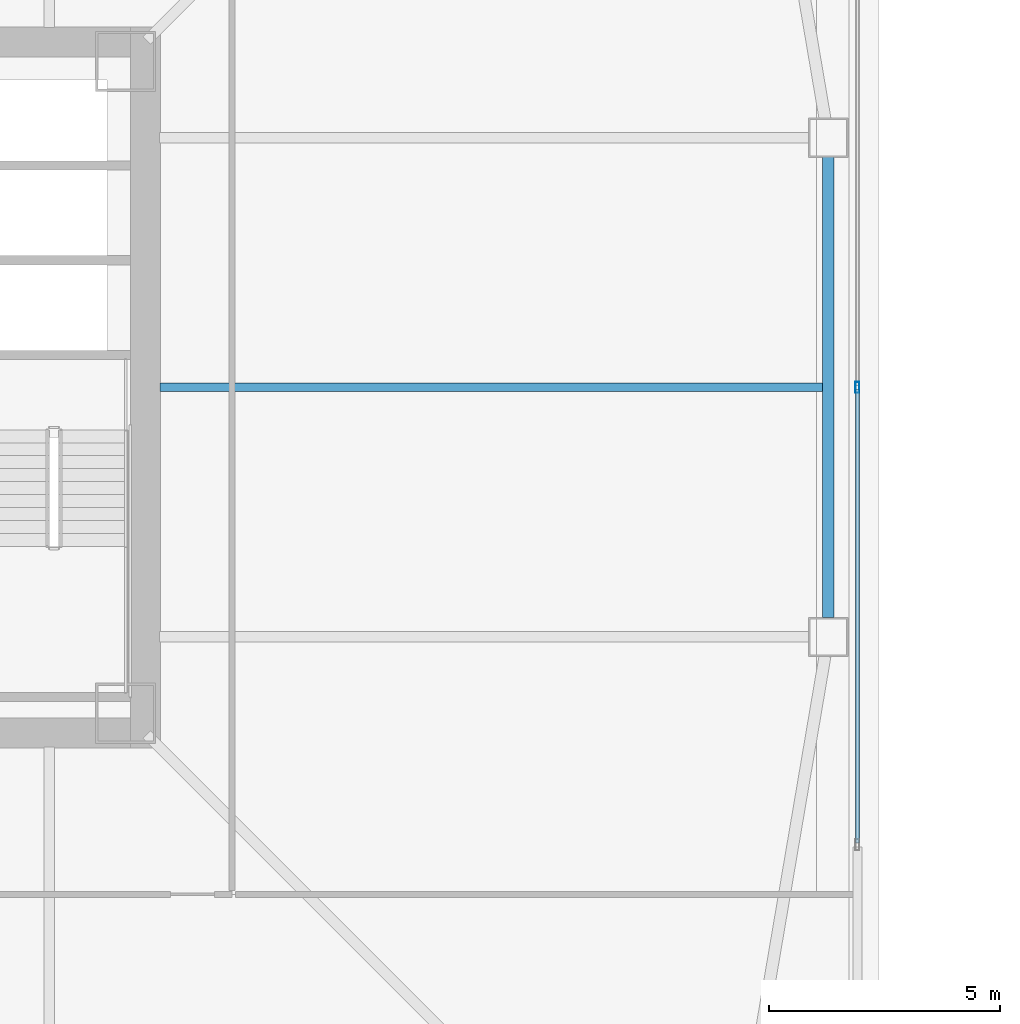
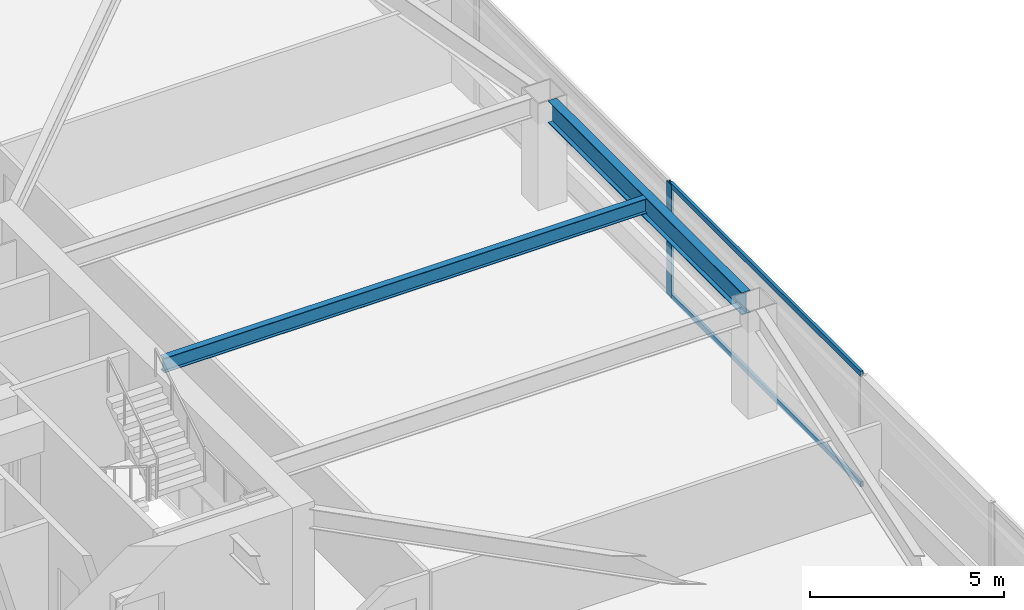
# One storey, part 11 of 48: 3 members, 2 beams, 1 element without a shape of its own.
"""IFC4 building model written with IfcOpenShell, lengths in metres."""

from ifc_helpers import new_model, si_unit, direction, frame, origin, origin_2d, place, context, subcontext, project, spatial, hollow_rectangle, i_section, extrude, material, material_profile, profile_set, type_object, element, aggregate, save


model = new_model("IFC4")

# Units and contexts
model_context = context("Model", 3, precision=1e-05, world=origin(), true_north=direction((0.0, 1.0)))
body_context = subcontext(model_context, "Body", "Model", "MODEL_VIEW")
ifc_project = project(units=[si_unit("LENGTHUNIT", "METRE"), si_unit("AREAUNIT", "SQUARE_METRE"), si_unit("VOLUMEUNIT", "CUBIC_METRE"), si_unit("PLANEANGLEUNIT", "RADIAN"), si_unit("MASSUNIT", "GRAM", prefix="KILO")], contexts=[model_context])

# Site, building, storey
site_placement = place(None, origin())
site = spatial("IfcSite", under=ifc_project, at=site_placement, CompositionType="ELEMENT")
building_placement = place(site_placement, origin())
building = spatial("IfcBuilding", under=site, at=building_placement, Name="Tashvorn Skyway Center", CompositionType="ELEMENT")
storey_placement = place(building_placement, frame((0.0, 0.0, 53.0)))
storey = spatial("IfcBuildingStorey", under=building, at=storey_placement, Name="L13", CompositionType="ELEMENT", Elevation=53.0)

# Beams
ifc_material_1 = material(Name="Steel ASTM A992 Grade 50", Category="steel")
ifc_material_profile_1 = material_profile(ifc_material_1, i_section(OverallWidth=0.19091796875, OverallDepth=0.4599609375, WebThickness=0.010009765625, FlangeThickness=0.01611328125, at=origin_2d()), Name="W18X55")
ifc_profile_set_1 = profile_set([ifc_material_profile_1], Name="Steel ASTM A992 Grade 50")
beam_type_1 = type_object("IfcBeamType", Name="BM-JOIST-W18X55", PredefinedType="JOIST", material=ifc_profile_set_1)
beam_1_placement = place(storey_placement, frame((49.7900390625, 32.0, 3.1201171875), z_axis=(1.0, 0.0, 0.0), x_axis=(0.0, 1.0, 0.0)))
element("IfcBeam", 1, at=beam_1_placement, inside=storey, type_object=beam_type_1, Name="Tower 1 L13 Secondary Composite Joist JE", PredefinedType="JOIST", context=body_context, shape_type="SweptSolid", body=[
    extrude(i_section(OverallWidth=0.19091796875, OverallDepth=0.4599609375, WebThickness=0.010009765625, FlangeThickness=0.01611328125, at=origin_2d()), origin(), (0.0, 0.0, 1.0), 14.33984375),
])
ifc_material_profile_2 = material_profile(ifc_material_1, i_section(OverallWidth=0.256103515625, OverallDepth=0.693115234375, WebThickness=0.014404296875, FlangeThickness=0.023681640625, at=origin_2d()), Name="W27X114")
ifc_profile_set_2 = profile_set([ifc_material_profile_2], Name="Steel ASTM A992 Grade 50")
beam_type_2 = type_object("IfcBeamType", Name="BM-SPANDREL-W27X114", PredefinedType="SPANDREL", material=ifc_profile_set_2)
beam_2_placement = place(storey_placement, frame((64.25, 27.02001953125, 3.00341796875), z_axis=(0.0, 1.0, 0.0), x_axis=(-1.0, 0.0, 0.0)))
element("IfcBeam", 2, at=beam_2_placement, inside=storey, type_object=beam_type_2, Name="Tower 1 L13 Spandrel Beam 05", PredefinedType="SPANDREL", context=body_context, shape_type="SweptSolid", body=[
    extrude(i_section(OverallWidth=0.256103515625, OverallDepth=0.693115234375, WebThickness=0.014404296875, FlangeThickness=0.023681640625, at=origin_2d()), origin(), (0.0, 0.0, 1.0), 9.9599609375),
])

# Curtain wall, members
ifc_material_2 = material(Name="Thermally broken bronze-anodized aluminium 6063-T6", Category="aluminium")
curtain_wall_type = type_object("IfcCurtainWallType", Name="CW-CW-Z1", PredefinedType="NOTDEFINED", material=ifc_material_2)
curtain_wall_placement = place(storey_placement, origin())
curtain_wall = element("IfcCurtainWall", 3, at=curtain_wall_placement, inside=storey, type_object=curtain_wall_type, Name="Tower 1 L13 East Unitised Curtain Wall Glazing Group 2", PredefinedType="NOTDEFINED")
ifc_material_profile_3 = material_profile(ifc_material_2, hollow_rectangle(XDim=0.0849609375, YDim=0.239990234375, WallThickness=0.0048828125, at=origin_2d()), Name="ALU-MULL-85x240")
ifc_profile_set_3 = profile_set([ifc_material_profile_3], Name="Thermally broken bronze-anodized aluminium 6063-T6")
member_type_1 = type_object("IfcMemberType", Name="CWM-CW-Z1", PredefinedType="MULLION", material=ifc_profile_set_3)
member_1_placement = place(storey_placement, frame((64.8798828125, 32.0, 0.0), z_axis=(0.0, 0.0, 1.0), x_axis=(1.0, 0.0, 0.0)))
member_1 = element("IfcMember", 4, at=member_1_placement, type_object=member_type_1, Name="CW-Z1 mullion 2", PredefinedType="MULLION", context=body_context, shape_type="SweptSolid", body=[
    extrude(hollow_rectangle(XDim=0.0849609375, YDim=0.239990234375, WallThickness=0.0048828125, at=origin_2d()), origin(), (0.0, 0.0, 1.0), 3.550048828125),
])
ifc_material_profile_4 = material_profile(ifc_material_2, hollow_rectangle(XDim=0.0849609375, YDim=0.1650390625, WallThickness=0.0048828125, at=origin_2d()), Name="ALU-TRAN-85x165")
ifc_profile_set_4 = profile_set([ifc_material_profile_4], Name="Thermally broken bronze-anodized aluminium 6063-T6")
member_type_2 = type_object("IfcMemberType", Name="CWT-CW-Z1", PredefinedType="USERDEFINED", material=ifc_profile_set_4)
member_2_placement = place(storey_placement, frame((64.8798828125, 31.95751953125, 0.04248046875), z_axis=(0.0, -1.0, 0.0), x_axis=(1.0, 0.0, 0.0)))
member_2 = element("IfcMember", 5, at=member_2_placement, type_object=member_type_2, Name="CW-Z1 transom 2.1", ObjectType="TRANSOM", PredefinedType="USERDEFINED", context=body_context, shape_type="SweptSolid", body=[
    extrude(hollow_rectangle(XDim=0.0849609375, YDim=0.1650390625, WallThickness=0.0048828125, at=origin_2d()), origin(), (0.0, 0.0, 1.0), 9.8125),
])
member_3_placement = place(storey_placement, frame((64.8798828125, 31.95751953125, 3.507568359375), z_axis=(0.0, -1.0, 0.0), x_axis=(1.0, 0.0, 0.0)))
member_3 = element("IfcMember", 6, at=member_3_placement, type_object=member_type_2, Name="CW-Z1 transom 2.2", ObjectType="TRANSOM", PredefinedType="USERDEFINED", context=body_context, shape_type="SweptSolid", body=[
    extrude(hollow_rectangle(XDim=0.0849609375, YDim=0.1650390625, WallThickness=0.0048828125, at=origin_2d()), origin(), (0.0, 0.0, 1.0), 9.8125),
])
aggregate(curtain_wall, [member_1, member_2, member_3])

save(model, "model.ifc")
